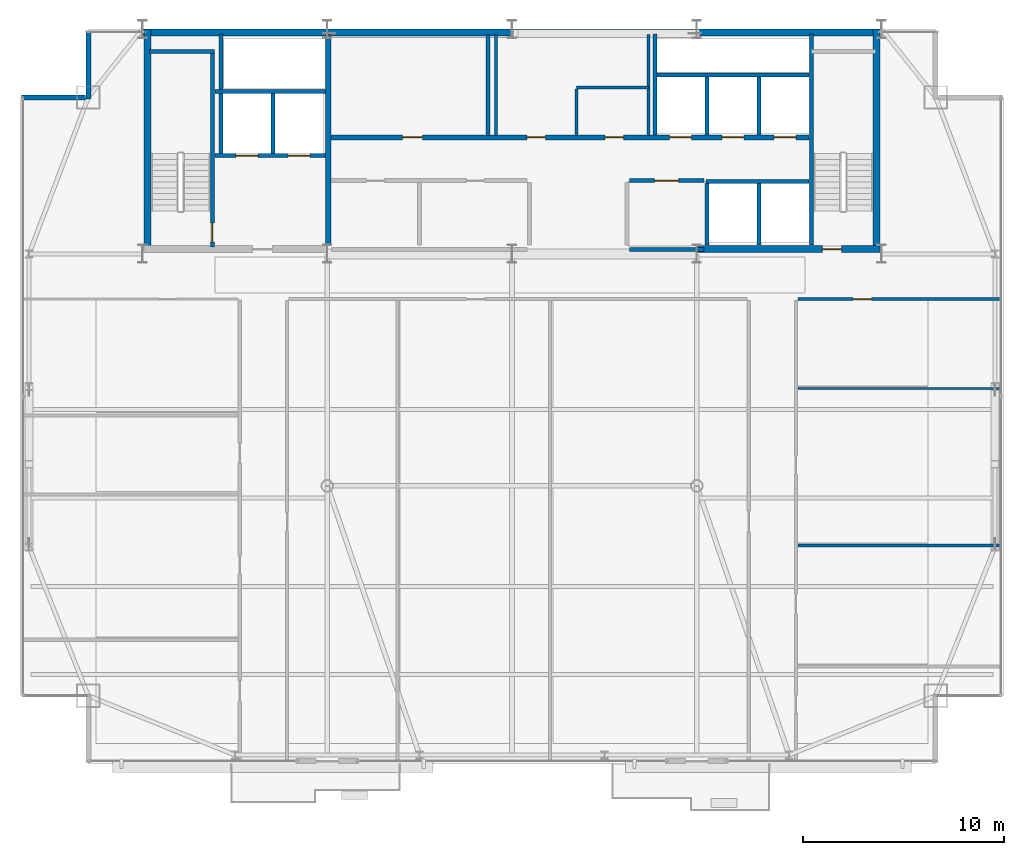
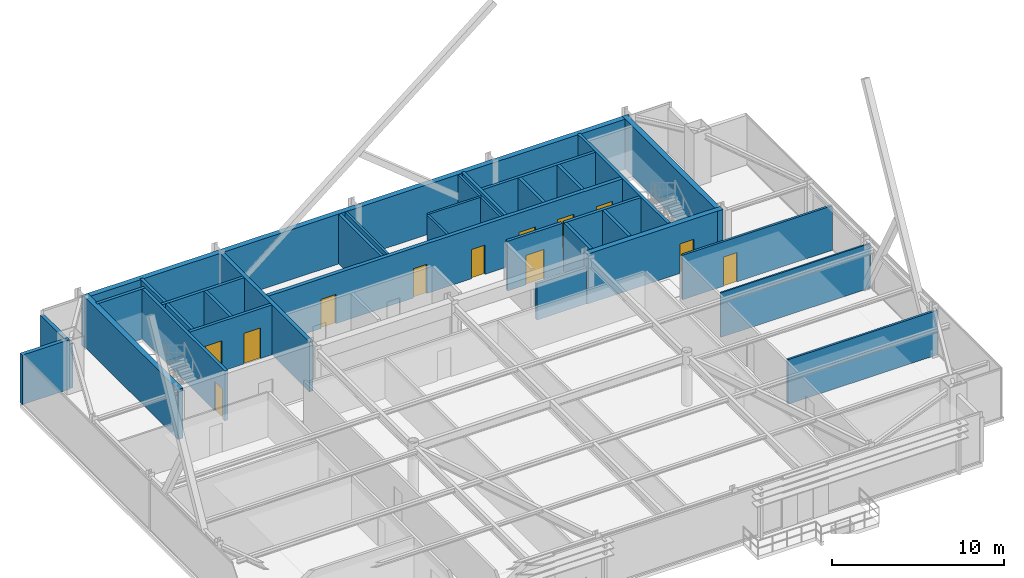
# One storey, part 28 of 31: 32 walls, 12 doors, 12 openings.
"""IFC4 building model written with IfcOpenShell, lengths in metres."""

from ifc_helpers import new_model, si_unit, direction, frame, frame_2d, origin, place, context, subcontext, project, spatial, rectangle, extrude, source, transform, mapped, material, layer, layer_set, type_object, type_shapes, element, fill, save


model = new_model("IFC4")

# Units and contexts
model_context = context("Model", 3, precision=1e-05, world=origin(), true_north=direction((0.0, 1.0)))
body_context = subcontext(model_context, "Body", "Model", "MODEL_VIEW")
ifc_project = project(units=[si_unit("LENGTHUNIT", "METRE"), si_unit("AREAUNIT", "SQUARE_METRE"), si_unit("VOLUMEUNIT", "CUBIC_METRE"), si_unit("PLANEANGLEUNIT", "RADIAN"), si_unit("MASSUNIT", "GRAM", prefix="KILO")], contexts=[model_context])

# Site, building, storey
site_placement = place(None, origin())
site = spatial("IfcSite", under=ifc_project, at=site_placement, CompositionType="ELEMENT")
building_placement = place(site_placement, origin())
building = spatial("IfcBuilding", under=site, at=building_placement, Name="Varnel Quay Broadcast Tower", CompositionType="ELEMENT")
storey_placement = place(building_placement, frame((0.0, 0.0, 215.0)))
storey = spatial("IfcBuildingStorey", under=building, at=storey_placement, Name="L53", CompositionType="ELEMENT", Elevation=215.0)

# Wall, opening, door
ifc_material_1 = material(Name="Concrete CSA A23.3 C50/60", Category="concrete")
ifc_layer_1 = layer(ifc_material_1, 0.199951171875, Name="Concrete CSA A23.3 C50/60")
ifc_layer_set_1 = layer_set([ifc_layer_1], Name="Concrete CSA A23.3 C50/60")
wall_type_1 = type_object("IfcWallType", Name="Wall_CoreShaftShear200", PredefinedType="SHEAR", material=ifc_layer_set_1)
wall_1_placement = place(storey_placement, frame((19.080078125, 35.949951171875, 0.0), z_axis=(0.0, 0.0, 1.0), x_axis=(0.0, 1.0, 0.0)))
wall_1 = element("IfcWall", 1, at=wall_1_placement, inside=storey, type_object=wall_type_1, Name="L53 Stair 1 East Structural Wall", PredefinedType="SHEAR", context=body_context, shape_type="SweptSolid", body=[
    extrude(rectangle(XDim=9.650146484375, YDim=0.199951171875, at=frame_2d((4.8251953125, 0.0))), origin(), (0.0, 0.0, 1.0), 3.550048828125),
])
opening_1_placement = place(wall_1_placement, frame((0.25, 0.0, 0.0)))
opening_1 = element("IfcOpeningElement", 2, at=opening_1_placement, cuts=wall_1, Name="Opening D-L53-S1", PredefinedType="OPENING", context=body_context, shape_type="SweptSolid", body=[
    extrude(rectangle(XDim=0.949951171875, YDim=2.10009765625, at=frame_2d((0.47509765625, 1.050048828125))), frame((0.0, 0.10986328125, 0.0), z_axis=(0.0, -1.0, 0.0), x_axis=(1.0, 0.0, 0.0)), (0.0, 0.0, 1.0), 0.219970703125),
])
ifc_material_2 = material(Name="Insulated Fire-Rated Hollow Steel Door", Category="steel")
door_type_1 = type_object("IfcDoorType", Name="Door_FireStair950", OperationType="NOTDEFINED", PredefinedType="DOOR", material=ifc_material_2)
shared_shape_1 = source(origin(), body_context, "Body", "SweptSolid", [
    extrude(rectangle(XDim=0.949951171875, YDim=2.10009765625, at=frame_2d((0.47509765625, 1.050048828125))), frame((0.0, 0.02490234375, 0.0), z_axis=(0.0, -1.0, 0.0), x_axis=(1.0, 0.0, 0.0)), (0.0, 0.0, 1.0), 0.050048828125),
])
type_shapes(door_type_1, [shared_shape_1])
door_1_placement = place(opening_1_placement, origin())
door_1 = element("IfcDoor", 3, at=door_1_placement, inside=storey, type_object=door_type_1, Name="L53 Stair 1 Fire Door", OperationType="SINGLE_SWING_RIGHT", OverallHeight=2.10009765625, OverallWidth=0.949951171875, PredefinedType="DOOR", context=body_context, shape_type="MappedRepresentation", body=[
    mapped(shared_shape_1, transform((0.0, 0.0, 0.0), x_axis=(1.0, 0.0, 0.0), y_axis=(0.0, 1.0, 0.0), z_axis=(0.0, 0.0, 1.0), scale=1.0)),
])
fill(opening_1, door_1)

# Wall
wall_2_placement = place(storey_placement, frame((15.949951171875, 45.679931640625, 0.0), z_axis=(0.0, 0.0, 1.0), x_axis=(1.0, 0.0, 0.0)))
element("IfcWall", 4, at=wall_2_placement, inside=storey, type_object=wall_type_1, Name="L53 Stair 1 North Structural Wall", PredefinedType="SHEAR", context=body_context, shape_type="SweptSolid", body=[
    extrude(rectangle(XDim=3.22998046875, YDim=0.199951171875, at=frame_2d((1.614990234375, 0.0))), origin(), (0.0, 0.0, 1.0), 3.550048828125),
])

# Wall, openings, doors
wall_3_placement = place(storey_placement, frame((19.199951171875, 40.5, 0.0), z_axis=(0.0, 0.0, 1.0), x_axis=(1.0, 0.0, 0.0)))
wall_3 = element("IfcWall", 5, at=wall_3_placement, inside=storey, type_object=wall_type_1, Name="L53 Firefighter Lift Shaft Front Wall", PredefinedType="SHEAR", context=body_context, shape_type="SweptSolid", body=[
    extrude(rectangle(XDim=5.52001953125, YDim=0.199951171875, at=frame_2d((2.760009765625, 0.0))), origin(), (0.0, 0.0, 1.0), 3.550048828125),
])
opening_2_placement = place(wall_3_placement, frame((1.050048828125, 0.0, 0.0)))
opening_2 = element("IfcOpeningElement", 6, at=opening_2_placement, cuts=wall_3, Name="Opening LD-L53-FE1", PredefinedType="OPENING", context=body_context, shape_type="SweptSolid", body=[
    extrude(rectangle(XDim=1.10009765625, YDim=2.179931640625, at=frame_2d((0.550048828125, 1.08984375))), frame((0.0, 0.10986328125, 0.0), z_axis=(0.0, -1.0, 0.0), x_axis=(1.0, 0.0, 0.0)), (0.0, 0.0, 1.0), 0.219970703125),
])
opening_3_placement = place(wall_3_placement, frame((3.64990234375, 0.0, 0.0)))
opening_3 = element("IfcOpeningElement", 7, at=opening_3_placement, cuts=wall_3, Name="Opening LD-L53-FE2", PredefinedType="OPENING", context=body_context, shape_type="SweptSolid", body=[
    extrude(rectangle(XDim=1.10009765625, YDim=2.179931640625, at=frame_2d((0.550048828125, 1.08984375))), frame((0.0, 0.10986328125, 0.0), z_axis=(0.0, -1.0, 0.0), x_axis=(1.0, 0.0, 0.0)), (0.0, 0.0, 1.0), 0.219970703125),
])
ifc_material_3 = material(Name="Brushed Bronze-Stainless Lift Car & Sliding Doors", Category="steel")
door_type_2 = type_object("IfcDoorType", Name="Door_LiftLanding1100", OperationType="SLIDING_TO_LEFT", PredefinedType="DOOR", material=ifc_material_3)
shared_shape_2 = source(origin(), body_context, "Body", "SweptSolid", [
    extrude(rectangle(XDim=1.10009765625, YDim=2.179931640625, at=frame_2d((0.550048828125, 1.08984375))), frame((0.0, 0.02490234375, 0.0), z_axis=(0.0, -1.0, 0.0), x_axis=(1.0, 0.0, 0.0)), (0.0, 0.0, 1.0), 0.050048828125),
])
type_shapes(door_type_2, [shared_shape_2])
door_2_placement = place(opening_2_placement, frame((1.10009765625, 0.0, 0.0), z_axis=(0.0, 0.0, 1.0), x_axis=(-1.0, 0.0, 0.0)))
door_2 = element("IfcDoor", 8, at=door_2_placement, inside=storey, type_object=door_type_2, Name="L53 Firefighter Lift FE-01 Landing Door", OperationType="SLIDING_TO_LEFT", OverallHeight=2.179931640625, OverallWidth=1.10009765625, PredefinedType="DOOR", context=body_context, shape_type="MappedRepresentation", body=[
    mapped(shared_shape_2, transform((0.0, 0.0, 0.0), x_axis=(1.0, 0.0, 0.0), y_axis=(0.0, 1.0, 0.0), z_axis=(0.0, 0.0, 1.0), scale=1.0)),
])
fill(opening_2, door_2)
door_3_placement = place(opening_3_placement, frame((1.10009765625, 0.0, 0.0), z_axis=(0.0, 0.0, 1.0), x_axis=(-1.0, 0.0, 0.0)))
door_3 = element("IfcDoor", 9, at=door_3_placement, inside=storey, type_object=door_type_2, Name="L53 Firefighter Lift FE-02 Landing Door", OperationType="SLIDING_TO_RIGHT", OverallHeight=2.179931640625, OverallWidth=1.10009765625, PredefinedType="DOOR", context=body_context, shape_type="MappedRepresentation", body=[
    mapped(shared_shape_2, transform((0.0, 0.0, 0.0), x_axis=(1.0, 0.0, 0.0), y_axis=(0.0, 1.0, 0.0), z_axis=(0.0, 0.0, 1.0), scale=1.0)),
])
fill(opening_3, door_3)

# Walls
wall_4_placement = place(storey_placement, frame((19.199951171875, 43.699951171875, 0.0), z_axis=(0.0, 0.0, 1.0), x_axis=(1.0, 0.0, 0.0)))
element("IfcWall", 10, at=wall_4_placement, inside=storey, type_object=wall_type_1, Name="L53 Firefighter Lift Shaft Rear Wall", PredefinedType="SHEAR", context=body_context, shape_type="SweptSolid", body=[
    extrude(rectangle(XDim=5.52001953125, YDim=0.199951171875, at=frame_2d((2.760009765625, 0.0))), origin(), (0.0, 0.0, 1.0), 3.550048828125),
])
wall_5_placement = place(storey_placement, frame((22.10009765625, 40.60009765625, 0.0), z_axis=(0.0, 0.0, 1.0), x_axis=(0.0, 1.0, 0.0)))
element("IfcWall", 11, at=wall_5_placement, inside=storey, type_object=wall_type_1, Name="L53 Firefighter Lift Shaft Divider", PredefinedType="SHEAR", context=body_context, shape_type="SweptSolid", body=[
    extrude(rectangle(XDim=3.0, YDim=0.199951171875, at=frame_2d((1.5, 0.0))), origin(), (0.0, 0.0, 1.0), 3.550048828125),
])
wall_6_placement = place(storey_placement, frame((19.5, 40.60009765625, 0.0), z_axis=(0.0, 0.0, 1.0), x_axis=(0.0, 1.0, 0.0)))
element("IfcWall", 12, at=wall_6_placement, inside=storey, type_object=wall_type_1, Name="L53 Firefighter Lift Shaft West Wall", PredefinedType="SHEAR", context=body_context, shape_type="SweptSolid", body=[
    extrude(rectangle(XDim=5.949951171875, YDim=0.199951171875, at=frame_2d((2.97509765625, 0.0))), origin(), (0.0, 0.0, 1.0), 3.550048828125),
])
wall_7_placement = place(storey_placement, frame((48.919921875, 36.050048828125, 0.0), z_axis=(0.0, 0.0, 1.0), x_axis=(0.0, 1.0, 0.0)))
element("IfcWall", 13, at=wall_7_placement, inside=storey, type_object=wall_type_1, Name="L53 Stair 2 West Structural Wall", PredefinedType="SHEAR", context=body_context, shape_type="SweptSolid", body=[
    extrude(rectangle(XDim=10.5, YDim=0.199951171875, at=frame_2d((5.25, 0.0))), origin(), (0.0, 0.0, 1.0), 3.550048828125),
])
wall_8_placement = place(storey_placement, frame((41.219970703125, 44.5, 0.0), z_axis=(0.0, 0.0, 1.0), x_axis=(1.0, 0.0, 0.0)))
element("IfcWall", 14, at=wall_8_placement, inside=storey, type_object=wall_type_1, Name="L53 High-Rise Lift Shaft Rear Wall", PredefinedType="SHEAR", context=body_context, shape_type="SweptSolid", body=[
    extrude(rectangle(XDim=7.580078125, YDim=0.199951171875, at=frame_2d((3.7900390625, 0.0))), origin(), (0.0, 0.0, 1.0), 3.550048828125),
])
wall_9_placement = place(storey_placement, frame((41.1201171875, 41.530029296875, 0.0), z_axis=(0.0, 0.0, 1.0), x_axis=(0.0, 1.0, 0.0)))
element("IfcWall", 15, at=wall_9_placement, inside=storey, type_object=wall_type_1, Name="L53 High-Rise Lift Shaft Divider 1", PredefinedType="SHEAR", context=body_context, shape_type="SweptSolid", body=[
    extrude(rectangle(XDim=5.02001953125, YDim=0.199951171875, at=frame_2d((2.510009765625, 0.0))), origin(), (0.0, 0.0, 1.0), 3.550048828125),
])
for number, where, z_axis, x_axis, name in (
    (16, (43.699951171875, 41.530029296875, 0.0), (0.0, 0.0, 1.0), (0.0, 1.0, 0.0), "L53 High-Rise Lift Shaft Divider 2"),
    (17, (46.300048828125, 41.530029296875, 0.0), (0.0, 0.0, 1.0), (0.0, 1.0, 0.0), "L53 High-Rise Lift Shaft Divider 3"),
):
    element("IfcWall", number, at=place(storey_placement, frame(where, z_axis=z_axis, x_axis=x_axis)), inside=storey, type_object=wall_type_1, Name=name, PredefinedType="SHEAR", context=body_context, shape_type="SweptSolid", body=[
        extrude(rectangle(XDim=2.869873046875, YDim=0.199951171875, at=frame_2d((1.43505859375, 0.0))), origin(), (0.0, 0.0, 1.0), 3.550048828125),
    ])
for number, where, z_axis, x_axis, name in (
    (18, (43.699951171875, 36.050048828125, 0.0), (0.0, 0.0, 1.0), (0.0, 1.0, 0.0), "L53 Express Lift Shaft West Wall"),
    (19, (46.300048828125, 36.050048828125, 0.0), (0.0, 0.0, 1.0), (0.0, 1.0, 0.0), "L53 Express Lift Shaft Divider"),
):
    element("IfcWall", number, at=place(storey_placement, frame(where, z_axis=z_axis, x_axis=x_axis)), inside=storey, type_object=wall_type_1, Name=name, PredefinedType="SHEAR", context=body_context, shape_type="SweptSolid", body=[
        extrude(rectangle(XDim=3.050048828125, YDim=0.199951171875, at=frame_2d((1.52490234375, 0.0))), origin(), (0.0, 0.0, 1.0), 3.550048828125),
    ])
wall_10_placement = place(storey_placement, frame((43.64990234375, 39.199951171875, 0.0), z_axis=(0.0, 0.0, 1.0), x_axis=(1.0, 0.0, 0.0)))
element("IfcWall", 20, at=wall_10_placement, inside=storey, type_object=wall_type_1, Name="L53 Express Lift Shaft North Front Wall", PredefinedType="SHEAR", context=body_context, shape_type="SweptSolid", body=[
    extrude(rectangle(XDim=5.150146484375, YDim=0.199951171875, at=frame_2d((2.5751953125, 0.0))), origin(), (0.0, 0.0, 1.0), 3.550048828125),
])
ifc_layer_2 = layer(ifc_material_1, 0.25, Name="Concrete CSA A23.3 C50/60")
ifc_layer_set_2 = layer_set([ifc_layer_2], Name="Concrete CSA A23.3 C50/60")
wall_type_2 = type_object("IfcWallType", Name="Wall_CoreShaftShear250", PredefinedType="SHEAR", material=ifc_layer_set_2)
wall_11_placement = place(storey_placement, frame((24.85009765625, 36.050048828125, 0.0), z_axis=(0.0, 0.0, 1.0), x_axis=(0.0, 1.0, 0.0)))
element("IfcWall", 21, at=wall_11_placement, inside=storey, type_object=wall_type_2, Name="L53 Firefighting Lobby East Structural Wall", PredefinedType="SHEAR", context=body_context, shape_type="SweptSolid", body=[
    extrude(rectangle(XDim=10.449951171875, YDim=0.25, at=frame_2d((5.22509765625, 0.0))), origin(), (0.0, 0.0, 1.0), 3.550048828125),
])

# Wall, openings, doors
wall_12_placement = place(storey_placement, frame((24.97998046875, 41.39990234375, 0.0), z_axis=(0.0, 0.0, 1.0), x_axis=(1.0, 0.0, 0.0)))
wall_12 = element("IfcWall", 22, at=wall_12_placement, inside=storey, type_object=wall_type_2, Name="L53 North Lift Bank & Reclaimed Suite Wall", PredefinedType="SHEAR", context=body_context, shape_type="SweptSolid", body=[
    extrude(rectangle(XDim=23.820068359375, YDim=0.25, at=frame_2d((11.91015625, 0.0))), origin(), (0.0, 0.0, 1.0), 3.550048828125),
])
opening_4_placement = place(wall_12_placement, frame((16.8701171875, 0.0, 0.0)))
opening_4 = element("IfcOpeningElement", 23, at=opening_4_placement, cuts=wall_12, Name="Opening LD-L53-PH-01", PredefinedType="OPENING", context=body_context, shape_type="SweptSolid", body=[
    extrude(rectangle(XDim=1.10009765625, YDim=2.179931640625, at=frame_2d((0.550048828125, 1.08984375))), frame((0.0, 0.135009765625, 0.0), z_axis=(0.0, -1.0, 0.0), x_axis=(1.0, 0.0, 0.0)), (0.0, 0.0, 1.0), 0.27001953125),
])
opening_5_placement = place(wall_12_placement, frame((19.469970703125, 0.0, 0.0)))
opening_5 = element("IfcOpeningElement", 24, at=opening_5_placement, cuts=wall_12, Name="Opening LD-L53-PH-02", PredefinedType="OPENING", context=body_context, shape_type="SweptSolid", body=[
    extrude(rectangle(XDim=1.10009765625, YDim=2.179931640625, at=frame_2d((0.550048828125, 1.08984375))), frame((0.0, 0.135009765625, 0.0), z_axis=(0.0, -1.0, 0.0), x_axis=(1.0, 0.0, 0.0)), (0.0, 0.0, 1.0), 0.27001953125),
])
opening_6_placement = place(wall_12_placement, frame((22.070068359375, 0.0, 0.0)))
opening_6 = element("IfcOpeningElement", 25, at=opening_6_placement, cuts=wall_12, Name="Opening LD-L53-PH-03", PredefinedType="OPENING", context=body_context, shape_type="SweptSolid", body=[
    extrude(rectangle(XDim=1.10009765625, YDim=2.179931640625, at=frame_2d((0.550048828125, 1.08984375))), frame((0.0, 0.135009765625, 0.0), z_axis=(0.0, -1.0, 0.0), x_axis=(1.0, 0.0, 0.0)), (0.0, 0.0, 1.0), 0.27001953125),
])
opening_7_placement = place(wall_12_placement, frame((3.56005859375, 0.0, 0.0)))
opening_7 = element("IfcOpeningElement", 26, at=opening_7_placement, cuts=wall_12, Name="Opening D-L53-RECA1", PredefinedType="OPENING", context=body_context, shape_type="SweptSolid", body=[
    extrude(rectangle(XDim=1.0, YDim=2.080078125, at=frame_2d((0.5, 1.0400390625))), frame((0.0, 0.135009765625, 0.0), z_axis=(0.0, -1.0, 0.0), x_axis=(1.0, 0.0, 0.0)), (0.0, 0.0, 1.0), 0.27001953125),
])
opening_8_placement = place(wall_12_placement, frame((9.760009765625, 0.0, 0.0)))
opening_8 = element("IfcOpeningElement", 27, at=opening_8_placement, cuts=wall_12, Name="Opening D-L53-RECB1", PredefinedType="OPENING", context=body_context, shape_type="SweptSolid", body=[
    extrude(rectangle(XDim=0.919921875, YDim=2.080078125, at=frame_2d((0.4599609375, 1.0400390625))), frame((0.0, 0.135009765625, 0.0), z_axis=(0.0, -1.0, 0.0), x_axis=(1.0, 0.0, 0.0)), (0.0, 0.0, 1.0), 0.27001953125),
])
opening_9_placement = place(wall_12_placement, frame((13.659912109375, 0.0, 0.0)))
opening_9 = element("IfcOpeningElement", 28, at=opening_9_placement, cuts=wall_12, Name="Opening D-L53-RECB2", PredefinedType="OPENING", context=body_context, shape_type="SweptSolid", body=[
    extrude(rectangle(XDim=0.919921875, YDim=2.080078125, at=frame_2d((0.4599609375, 1.0400390625))), frame((0.0, 0.135009765625, 0.0), z_axis=(0.0, -1.0, 0.0), x_axis=(1.0, 0.0, 0.0)), (0.0, 0.0, 1.0), 0.27001953125),
])
door_4_placement = place(opening_4_placement, frame((1.10009765625, 0.0, 0.0), z_axis=(0.0, 0.0, 1.0), x_axis=(-1.0, 0.0, 0.0)))
door_4 = element("IfcDoor", 29, at=door_4_placement, inside=storey, type_object=door_type_2, Name="L53 Lift PH-01 Landing Door", OperationType="SLIDING_TO_LEFT", OverallHeight=2.179931640625, OverallWidth=1.10009765625, PredefinedType="DOOR", context=body_context, shape_type="MappedRepresentation", body=[
    mapped(shared_shape_2, transform((0.0, 0.0, 0.0), x_axis=(1.0, 0.0, 0.0), y_axis=(0.0, 1.0, 0.0), z_axis=(0.0, 0.0, 1.0), scale=1.0)),
])
fill(opening_4, door_4)
door_5_placement = place(opening_5_placement, frame((1.10009765625, 0.0, 0.0), z_axis=(0.0, 0.0, 1.0), x_axis=(-1.0, 0.0, 0.0)))
door_5 = element("IfcDoor", 30, at=door_5_placement, inside=storey, type_object=door_type_2, Name="L53 Lift PH-02 Landing Door", OperationType="SLIDING_TO_LEFT", OverallHeight=2.179931640625, OverallWidth=1.10009765625, PredefinedType="DOOR", context=body_context, shape_type="MappedRepresentation", body=[
    mapped(shared_shape_2, transform((0.0, 0.0, 0.0), x_axis=(1.0, 0.0, 0.0), y_axis=(0.0, 1.0, 0.0), z_axis=(0.0, 0.0, 1.0), scale=1.0)),
])
fill(opening_5, door_5)
door_6_placement = place(opening_6_placement, frame((1.10009765625, 0.0, 0.0), z_axis=(0.0, 0.0, 1.0), x_axis=(-1.0, 0.0, 0.0)))
door_6 = element("IfcDoor", 31, at=door_6_placement, inside=storey, type_object=door_type_2, Name="L53 Lift PH-03 Landing Door", OperationType="SLIDING_TO_LEFT", OverallHeight=2.179931640625, OverallWidth=1.10009765625, PredefinedType="DOOR", context=body_context, shape_type="MappedRepresentation", body=[
    mapped(shared_shape_2, transform((0.0, 0.0, 0.0), x_axis=(1.0, 0.0, 0.0), y_axis=(0.0, 1.0, 0.0), z_axis=(0.0, 0.0, 1.0), scale=1.0)),
])
fill(opening_6, door_6)
door_type_3 = type_object("IfcDoorType", Name="Door_FireLobby1000", OperationType="NOTDEFINED", PredefinedType="DOOR", material=ifc_material_2)
shared_shape_3 = source(origin(), body_context, "Body", "SweptSolid", [
    extrude(rectangle(XDim=1.0, YDim=2.080078125, at=frame_2d((0.5, 1.0400390625))), frame((0.0, 0.02490234375, 0.0), z_axis=(0.0, -1.0, 0.0), x_axis=(1.0, 0.0, 0.0)), (0.0, 0.0, 1.0), 0.050048828125),
])
type_shapes(door_type_3, [shared_shape_3])
door_7_placement = place(opening_7_placement, origin())
door_7 = element("IfcDoor", 32, at=door_7_placement, inside=storey, type_object=door_type_3, Name="L53 Broadcast Ingest Server Hall Door", OperationType="SINGLE_SWING_LEFT", OverallHeight=2.080078125, OverallWidth=1.0, PredefinedType="DOOR", context=body_context, shape_type="MappedRepresentation", body=[
    mapped(shared_shape_3, transform((0.0, 0.0, 0.0), x_axis=(1.0, 0.0, 0.0), y_axis=(0.0, 1.0, 0.0), z_axis=(0.0, 0.0, 1.0), scale=1.0)),
])
fill(opening_7, door_7)
ifc_material_4 = material(Name="Solid-Core Fire-Rated Acoustic Oak Veneer Door", Category="wood")
door_type_4 = type_object("IfcDoorType", Name="Door_Office920", OperationType="NOTDEFINED", PredefinedType="DOOR", material=ifc_material_4)
shared_shape_4 = source(origin(), body_context, "Body", "SweptSolid", [
    extrude(rectangle(XDim=0.919921875, YDim=2.080078125, at=frame_2d((0.4599609375, 1.0400390625))), frame((0.0, 0.02490234375, 0.0), z_axis=(0.0, -1.0, 0.0), x_axis=(1.0, 0.0, 0.0)), (0.0, 0.0, 1.0), 0.050048828125),
])
type_shapes(door_type_4, [shared_shape_4])
door_8_placement = place(opening_8_placement, origin())
door_8 = element("IfcDoor", 33, at=door_8_placement, inside=storey, type_object=door_type_4, Name="L53 Acoustic Rack & Patch Suite Door", OperationType="SINGLE_SWING_RIGHT", OverallHeight=2.080078125, OverallWidth=0.919921875, PredefinedType="DOOR", context=body_context, shape_type="MappedRepresentation", body=[
    mapped(shared_shape_4, transform((0.0, 0.0, 0.0), x_axis=(1.0, 0.0, 0.0), y_axis=(0.0, 1.0, 0.0), z_axis=(0.0, 0.0, 1.0), scale=1.0)),
])
fill(opening_8, door_8)
door_9_placement = place(opening_9_placement, origin())
door_9 = element("IfcDoor", 34, at=door_9_placement, inside=storey, type_object=door_type_4, Name="L53 Production Tea Pantry Door", OperationType="SINGLE_SWING_LEFT", OverallHeight=2.080078125, OverallWidth=0.919921875, PredefinedType="DOOR", context=body_context, shape_type="MappedRepresentation", body=[
    mapped(shared_shape_4, transform((0.0, 0.0, 0.0), x_axis=(1.0, 0.0, 0.0), y_axis=(0.0, 1.0, 0.0), z_axis=(0.0, 0.0, 1.0), scale=1.0)),
])
fill(opening_9, door_9)

# Walls
ifc_layer_3 = layer(ifc_material_1, 0.35009765625, Name="Concrete CSA A23.3 C50/60")
ifc_layer_set_3 = layer_set([ifc_layer_3], Name="Concrete CSA A23.3 C50/60")
wall_type_3 = type_object("IfcWallType", Name="Wall_CoreShearExt350", PredefinedType="SHEAR", material=ifc_layer_set_3)
wall_13_placement = place(storey_placement, frame((15.60009765625, 46.625, 0.0), z_axis=(0.0, 0.0, 1.0), x_axis=(1.0, 0.0, 0.0)))
element("IfcWall", 35, at=wall_13_placement, inside=storey, type_object=wall_type_3, Name="L53 North Core Shear Wall", PredefinedType="SHEAR", context=body_context, shape_type="SweptSolid", body=[
    extrude(rectangle(XDim=36.7998046875, YDim=0.35009765625, at=frame_2d((18.39990234375, 0.0))), origin(), (0.0, 0.0, 1.0), 3.550048828125),
])
ifc_layer_4 = layer(ifc_material_1, 0.35009765625, Name="Concrete CSA A23.3 C50/60")
ifc_layer_set_4 = layer_set([ifc_layer_4], Name="Concrete CSA A23.3 C50/60")
wall_type_4 = type_object("IfcWallType", Name="Wall_CoreShearInt350", PredefinedType="SHEAR", material=ifc_layer_set_4)
for number, where, z_axis, x_axis, name in (
    (36, (15.844970703125, 35.669921875, 0.0), (0.0, 0.0, 1.0), (0.0, 1.0, 0.0), "L53 West Core Shear Wall"),
    (37, (52.155029296875, 35.669921875, 0.0), (0.0, 0.0, 1.0), (0.0, 1.0, 0.0), "L53 East Core Shear Wall"),
):
    element("IfcWall", number, at=place(storey_placement, frame(where, z_axis=z_axis, x_axis=x_axis)), inside=storey, type_object=wall_type_4, Name=name, PredefinedType="SHEAR", context=body_context, shape_type="SweptSolid", body=[
        extrude(rectangle(XDim=11.130126953125, YDim=0.35009765625, at=frame_2d((5.56494140625, 0.0))), origin(), (0.0, 0.0, 1.0), 3.550048828125),
    ])

# Wall, opening, door
wall_14_placement = place(storey_placement, frame((43.199951171875, 35.844970703125, 0.0), z_axis=(0.0, 0.0, 1.0), x_axis=(1.0, 0.0, 0.0)))
wall_14 = element("IfcWall", 38, at=wall_14_placement, inside=storey, type_object=wall_type_4, Name="L53 South-East Core Shear Wall", PredefinedType="SHEAR", context=body_context, shape_type="SweptSolid", body=[
    extrude(rectangle(XDim=9.130126953125, YDim=0.35009765625, at=frame_2d((4.56494140625, 0.0))), origin(), (0.0, 0.0, 1.0), 3.550048828125),
])
opening_10_placement = place(wall_14_placement, frame((6.25, 0.0, 0.0)))
opening_10 = element("IfcOpeningElement", 39, at=opening_10_placement, cuts=wall_14, Name="Opening D-L53-S2", PredefinedType="OPENING", context=body_context, shape_type="SweptSolid", body=[
    extrude(rectangle(XDim=0.949951171875, YDim=2.10009765625, at=frame_2d((0.47509765625, 1.050048828125))), frame((0.0, 0.18505859375, 0.0), z_axis=(0.0, -1.0, 0.0), x_axis=(1.0, 0.0, 0.0)), (0.0, 0.0, 1.0), 0.3701171875),
])
door_10_placement = place(opening_10_placement, origin())
door_10 = element("IfcDoor", 40, at=door_10_placement, inside=storey, type_object=door_type_1, Name="L53 Stair 2 Fire Door", OperationType="SINGLE_SWING_RIGHT", OverallHeight=2.10009765625, OverallWidth=0.949951171875, PredefinedType="DOOR", context=body_context, shape_type="MappedRepresentation", body=[
    mapped(shared_shape_1, transform((0.0, 0.0, 0.0), x_axis=(1.0, 0.0, 0.0), y_axis=(0.0, 1.0, 0.0), z_axis=(0.0, 0.0, 1.0), scale=1.0)),
])
fill(opening_10, door_10)

# Walls
ifc_material_5 = material(Name="Precast Architectural Concrete C40/50", Category="concrete")
ifc_layer_5 = layer(ifc_material_5, 0.25, Name="Precast Architectural Concrete C40/50")
ifc_layer_set_5 = layer_set([ifc_layer_5], Name="Precast Architectural Concrete C40/50")
wall_type_5 = type_object("IfcWallType", Name="Wall_ExtTerrace250", PredefinedType="SOLIDWALL", material=ifc_layer_set_5)
wall_15_placement = place(storey_placement, frame((9.580078125, 43.39990234375, 0.0), z_axis=(0.0, 0.0, 1.0), x_axis=(1.0, 0.0, 0.0)))
element("IfcWall", 41, at=wall_15_placement, inside=storey, type_object=wall_type_5, Name="L53 Mega-Column Notch Cladding Wall NNW1", PredefinedType="SOLIDWALL", context=body_context, shape_type="SweptSolid", body=[
    extrude(rectangle(XDim=3.18994140625, YDim=0.25, at=frame_2d((1.594970703125, 0.0))), origin(), (0.0, 0.0, 1.0), 3.530029296875),
])
wall_16_placement = place(storey_placement, frame((12.89990234375, 43.320068359375, 0.0), z_axis=(0.0, 0.0, 1.0), x_axis=(0.0, 1.0, 0.0)))
element("IfcWall", 42, at=wall_16_placement, inside=storey, type_object=wall_type_5, Name="L53 Mega-Column Notch Cladding Wall NNW2", PredefinedType="SOLIDWALL", context=body_context, shape_type="SweptSolid", body=[
    extrude(rectangle(XDim=3.39990234375, YDim=0.25, at=frame_2d((1.699951171875, 0.0))), origin(), (0.0, 0.0, 1.0), 3.1708984375),
])
ifc_material_6 = material(Name="Concrete Blockwork Fire Enclosure C40/50", Category="masonry")
ifc_layer_6 = layer(ifc_material_6, 0.199951171875, Name="Concrete Blockwork Fire Enclosure C40/50")
ifc_layer_set_6 = layer_set([ifc_layer_6], Name="Concrete Blockwork Fire Enclosure C40/50")
wall_type_6 = type_object("IfcWallType", Name="Wall_FireShaft200", PredefinedType="SOLIDWALL", material=ifc_layer_set_6)
wall_17_placement = place(storey_placement, frame((39.85009765625, 35.824951171875, 0.0), z_axis=(0.0, 0.0, 1.0), x_axis=(1.0, 0.0, 0.0)))
element("IfcWall", 43, at=wall_17_placement, inside=storey, type_object=wall_type_6, Name="L53 Electrical Sub-Distribution Closet Partition 5", PredefinedType="SOLIDWALL", context=body_context, shape_type="SweptSolid", body=[
    extrude(rectangle(XDim=3.699951171875, YDim=0.199951171875, at=frame_2d((1.85009765625, 0.0))), origin(), (0.0, 0.0, 1.0), 2.574951171875),
])

# Wall, opening, door
wall_18_placement = place(storey_placement, frame((39.85009765625, 39.25, 0.0), z_axis=(0.0, 0.0, 1.0), x_axis=(1.0, 0.0, 0.0)))
wall_18 = element("IfcWall", 44, at=wall_18_placement, inside=storey, type_object=wall_type_6, Name="L53 Electrical Sub-Distribution Closet Partition 6", PredefinedType="SOLIDWALL", context=body_context, shape_type="SweptSolid", body=[
    extrude(rectangle(XDim=3.699951171875, YDim=0.199951171875, at=frame_2d((1.85009765625, 0.0))), origin(), (0.0, 0.0, 1.0), 3.530029296875),
])
opening_11_placement = place(wall_18_placement, frame((1.25, 0.0, 0.0)))
opening_11 = element("IfcOpeningElement", 45, at=opening_11_placement, cuts=wall_18, Name="Opening D-L53-03", PredefinedType="OPENING", context=body_context, shape_type="SweptSolid", body=[
    extrude(rectangle(XDim=1.199951171875, YDim=2.10009765625, at=frame_2d((0.60009765625, 1.050048828125))), frame((0.0, 0.10986328125, 0.0), z_axis=(0.0, -1.0, 0.0), x_axis=(1.0, 0.0, 0.0)), (0.0, 0.0, 1.0), 0.219970703125),
])
door_type_5 = type_object("IfcDoorType", Name="Door_Plant1200", OperationType="NOTDEFINED", PredefinedType="DOOR", material=ifc_material_2)
shared_shape_5 = source(origin(), body_context, "Body", "SweptSolid", [
    extrude(rectangle(XDim=1.199951171875, YDim=2.10009765625, at=frame_2d((0.60009765625, 1.050048828125))), frame((0.0, 0.02490234375, 0.0), z_axis=(0.0, -1.0, 0.0), x_axis=(1.0, 0.0, 0.0)), (0.0, 0.0, 1.0), 0.050048828125),
])
type_shapes(door_type_5, [shared_shape_5])
door_11_placement = place(opening_11_placement, origin())
door_11 = element("IfcDoor", 46, at=door_11_placement, inside=storey, type_object=door_type_5, Name="L53 Electrical Sub-Distribution Closet Door D-L53-03", OperationType="SINGLE_SWING_RIGHT", OverallHeight=2.10009765625, OverallWidth=1.199951171875, PredefinedType="DOOR", context=body_context, shape_type="MappedRepresentation", body=[
    mapped(shared_shape_5, transform((0.0, 0.0, 0.0), x_axis=(1.0, 0.0, 0.0), y_axis=(0.0, 1.0, 0.0), z_axis=(0.0, 0.0, 1.0), scale=1.0)),
])
fill(opening_11, door_11)

# Walls
wall_19_placement = place(storey_placement, frame((32.800048828125, 41.5, 0.0), z_axis=(0.0, 0.0, 1.0), x_axis=(0.0, 1.0, 0.0)))
element("IfcWall", 47, at=wall_19_placement, inside=storey, type_object=wall_type_6, Name="L53 Broadcast Ingest Server Hall Partition 23", PredefinedType="SOLIDWALL", context=body_context, shape_type="SweptSolid", body=[
    extrude(rectangle(XDim=5.02001953125, YDim=0.199951171875, at=frame_2d((2.510009765625, 0.0))), origin(), (0.0, 0.0, 1.0), 3.530029296875),
])
ifc_material_7 = material(Name="Steel-Stud Fire-Rated Acoustic Gypsum Partition Assembly", Category="steel")
ifc_layer_7 = layer(ifc_material_7, 0.10498046875, Name="Steel-Stud Fire-Rated Acoustic Gypsum Partition Assembly")
ifc_layer_set_7 = layer_set([ifc_layer_7], Name="Steel-Stud Fire-Rated Acoustic Gypsum Partition Assembly")
wall_type_7 = type_object("IfcWallType", Name="Wall_Partition105", PredefinedType="PARTITIONING", material=ifc_layer_set_7)
wall_20_placement = place(storey_placement, frame((48.239990234375, 28.89990234375, 0.0), z_axis=(0.0, 0.0, 1.0), x_axis=(1.0, 0.0, 0.0)))
element("IfcWall", 48, at=wall_20_placement, inside=storey, type_object=wall_type_7, Name="L53 Camera Locker Store 10 Partition 21", PredefinedType="PARTITIONING", context=body_context, shape_type="SweptSolid", body=[
    extrude(rectangle(XDim=10.080078125, YDim=0.10498046875, at=frame_2d((5.0400390625, 0.0))), origin(), (0.0, 0.0, 1.0), 3.1708984375),
])
ifc_layer_8 = layer(ifc_material_7, 0.139892578125, Name="Steel-Stud Fire-Rated Acoustic Gypsum Partition Assembly")
ifc_layer_set_8 = layer_set([ifc_layer_8], Name="Steel-Stud Fire-Rated Acoustic Gypsum Partition Assembly")
wall_type_8 = type_object("IfcWallType", Name="Wall_Partition140", PredefinedType="PARTITIONING", material=ifc_layer_set_8)
wall_21_placement = place(storey_placement, frame((48.239990234375, 21.080078125, 0.0), z_axis=(0.0, 0.0, 1.0), x_axis=(1.0, 0.0, 0.0)))
element("IfcWall", 49, at=wall_21_placement, inside=storey, type_object=wall_type_8, Name="L53 Press Green Lounge 9 Partition 20", PredefinedType="PARTITIONING", context=body_context, shape_type="SweptSolid", body=[
    extrude(rectangle(XDim=10.080078125, YDim=0.139892578125, at=frame_2d((5.0400390625, 0.0))), origin(), (0.0, 0.0, 1.0), 3.1708984375),
])

# Wall, opening, door
ifc_layer_9 = layer(ifc_material_7, 0.14990234375, Name="Steel-Stud Fire-Rated Acoustic Gypsum Partition Assembly")
ifc_layer_set_9 = layer_set([ifc_layer_9], Name="Steel-Stud Fire-Rated Acoustic Gypsum Partition Assembly")
wall_type_9 = type_object("IfcWallType", Name="Wall_Partition150", PredefinedType="PARTITIONING", material=ifc_layer_set_9)
wall_22_placement = place(storey_placement, frame((48.239990234375, 33.35009765625, 0.0), z_axis=(0.0, 0.0, 1.0), x_axis=(1.0, 0.0, 0.0)))
wall_22 = element("IfcWall", 50, at=wall_22_placement, inside=storey, type_object=wall_type_9, Name="L53 Broadcast Newsroom 11 Partition 22", PredefinedType="PARTITIONING", context=body_context, shape_type="SweptSolid", body=[
    extrude(rectangle(XDim=10.080078125, YDim=0.14990234375, at=frame_2d((5.0400390625, 0.0))), origin(), (0.0, 0.0, 1.0), 3.1708984375),
])
opening_12_placement = place(wall_22_placement, frame((2.7451171875, 0.0, 0.0)))
opening_12 = element("IfcOpeningElement", 51, at=opening_12_placement, cuts=wall_22, Name="Opening D-L53-14", PredefinedType="OPENING", context=body_context, shape_type="SweptSolid", body=[
    extrude(rectangle(XDim=0.919921875, YDim=2.080078125, at=frame_2d((0.4599609375, 1.0400390625))), frame((0.0, 0.0849609375, 0.0), z_axis=(0.0, -1.0, 0.0), x_axis=(1.0, 0.0, 0.0)), (0.0, 0.0, 1.0), 0.169921875),
])
door_12_placement = place(opening_12_placement, frame((0.919921875, 0.0, 0.0), z_axis=(0.0, 0.0, 1.0), x_axis=(-1.0, 0.0, 0.0)))
door_12 = element("IfcDoor", 52, at=door_12_placement, inside=storey, type_object=door_type_4, Name="L53 Broadcast Newsroom 11 Door D-L53-14", OperationType="SINGLE_SWING_LEFT", OverallHeight=2.080078125, OverallWidth=0.919921875, PredefinedType="DOOR", context=body_context, shape_type="MappedRepresentation", body=[
    mapped(shared_shape_4, transform((0.0, 0.0, 0.0), x_axis=(1.0, 0.0, 0.0), y_axis=(0.0, 1.0, 0.0), z_axis=(0.0, 0.0, 1.0), scale=1.0)),
])
fill(opening_12, door_12)

# Walls
wall_23_placement = place(storey_placement, frame((37.199951171875, 41.5, 0.0), z_axis=(0.0, 0.0, 1.0), x_axis=(0.0, 1.0, 0.0)))
element("IfcWall", 53, at=wall_23_placement, inside=storey, type_object=wall_type_9, Name="L53 Acoustic Rack & Patch Suite Partition 24", PredefinedType="PARTITIONING", context=body_context, shape_type="SweptSolid", body=[
    extrude(rectangle(XDim=2.324951171875, YDim=0.14990234375, at=frame_2d((1.16259765625, 0.0))), origin(), (0.0, 0.0, 1.0), 3.530029296875),
])
wall_24_placement = place(storey_placement, frame((37.199951171875, 43.89990234375, 0.0), z_axis=(0.0, 0.0, 1.0), x_axis=(1.0, 0.0, 0.0)))
element("IfcWall", 54, at=wall_24_placement, inside=storey, type_object=wall_type_9, Name="L53 Acoustic Rack & Patch Suite Partition 25", PredefinedType="PARTITIONING", context=body_context, shape_type="SweptSolid", body=[
    extrude(rectangle(XDim=3.60009765625, YDim=0.14990234375, at=frame_2d((1.800048828125, 0.0))), origin(), (0.0, 0.0, 1.0), 3.530029296875),
])
for number, where, z_axis, x_axis, name in (
    (55, (40.800048828125, 41.5, 0.0), (0.0, 0.0, 1.0), (0.0, 1.0, 0.0), "L53 Acoustic Rack & Patch Suite Partition 26"),
    (56, (33.199951171875, 41.5, 0.0), (0.0, 0.0, 1.0), (0.0, 1.0, 0.0), "L53 Acoustic Rack & Patch Suite Partition 27"),
):
    element("IfcWall", number, at=place(storey_placement, frame(where, z_axis=z_axis, x_axis=x_axis)), inside=storey, type_object=wall_type_9, Name=name, PredefinedType="PARTITIONING", context=body_context, shape_type="SweptSolid", body=[
        extrude(rectangle(XDim=5.02001953125, YDim=0.14990234375, at=frame_2d((2.510009765625, 0.0))), origin(), (0.0, 0.0, 1.0), 3.530029296875),
    ])

save(model, "model.ifc")
